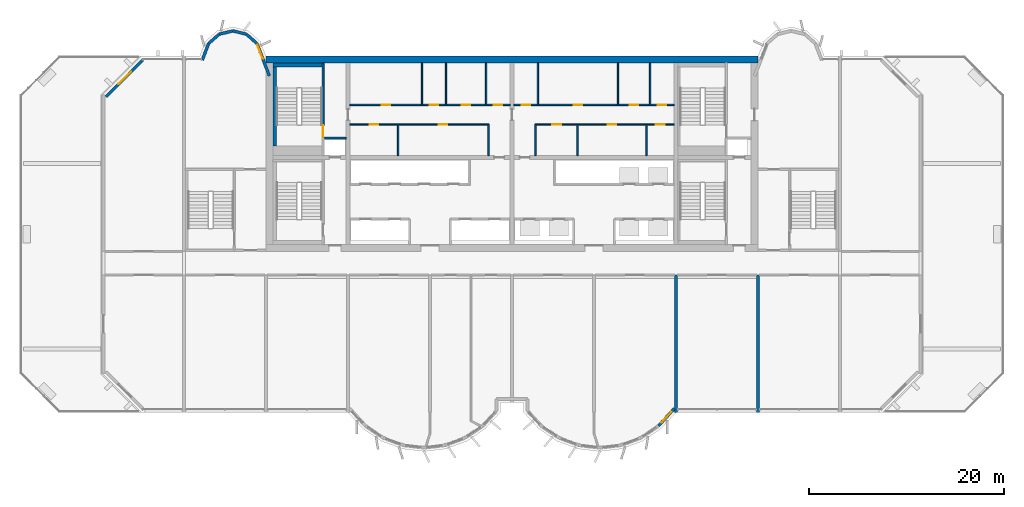
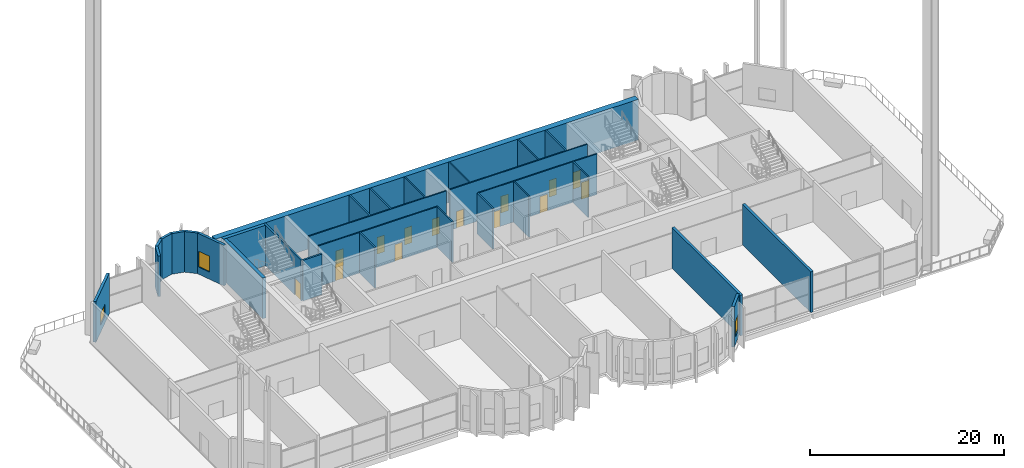
# One storey, part 13 of 19: 30 walls, 14 doors, 3 windows, 17 openings.
"""IFC4 building model written with IfcOpenShell, lengths in metres."""

import ifcopenshell
import ifcopenshell.guid

model = None  # the IFC model being written
_history = None  # IfcOwnerHistory: only IFC2X3 demands one
_inside = {}  # id of a spatial element -> (the spatial element, [elements in it])
_under = {}  # id of a project, library or spatial element -> (it, [spatial elements below it])
_declared = {}  # id of a project -> (the project, [libraries it declares])
_typed = {}  # id of a type object -> (the type object, [elements of that type])
_made_of = {}  # id of a material, layer set ... -> (it, [elements and type objects made of it])


def new_model(schema):
    """Start an empty IFC model of exactly this schema.

    Asked for "IFC4X3", IfcOpenShell would pick the latest addendum, in which some entities
    have other attributes; the version numbers below select the first issue.
    IFC2X3 requires an IfcOwnerHistory on every rooted entity: one is made here for all.
    """
    global model, _history
    if schema == "IFC4X3":
        model = ifcopenshell.file(schema_version=(4, 3, 0, 0))
    else:
        model = ifcopenshell.file(schema=schema)
    _inside.clear()
    _under.clear()
    _declared.clear()
    _typed.clear()
    _made_of.clear()
    _history = None
    if model.schema == "IFC2X3":
        org = make("IfcOrganization", Name="unknown")
        user = make(
            "IfcPersonAndOrganization",
            ThePerson=make("IfcPerson", FamilyName="unknown"),
            TheOrganization=org,
        )
        app = make(
            "IfcApplication",
            ApplicationDeveloper=org,
            Version="unknown",
            ApplicationFullName="unknown",
            ApplicationIdentifier="unknown",
        )
        _history = make(
            "IfcOwnerHistory",
            OwningUser=user,
            OwningApplication=app,
            ChangeAction="ADDED",
            CreationDate=0,
        )
    return model


def make(cls, **values):
    """One entity of the class cls with the attributes given. An attribute that is None is left unset."""
    return model.create_entity(
        cls, **{name: value for name, value in values.items() if value is not None}
    )


def rooted(cls, **values):
    """An entity with a GlobalId (a new one), such as an element, a storey or a relation."""
    return make(cls, GlobalId=ifcopenshell.guid.new(), OwnerHistory=_history, **values)


def si_unit(unit_type, name, prefix=None):
    """IfcSIUnit, for example si_unit("LENGTHUNIT", "METRE", prefix="MILLI")."""
    return make("IfcSIUnit", UnitType=unit_type, Prefix=prefix, Name=name)


def assignment(units):
    """IfcUnitAssignment: the units of a project."""
    return None if units is None else make("IfcUnitAssignment", Units=units)


def point(xyz):
    """IfcCartesianPoint."""
    return None if xyz is None else make("IfcCartesianPoint", Coordinates=xyz)


def direction(xyz):
    """IfcDirection."""
    return None if xyz is None else make("IfcDirection", DirectionRatios=xyz)


def frame(location, z_axis=None, x_axis=None):
    """IfcAxis2Placement3D, a coordinate frame: its origin and axes. An axis left out is left unset."""
    return make(
        "IfcAxis2Placement3D",
        Location=point(location),
        Axis=direction(z_axis),
        RefDirection=direction(x_axis),
    )


def frame_2d(location, x_axis=None):
    """IfcAxis2Placement2D, a coordinate frame in the plane: its origin and x axis."""
    return make(
        "IfcAxis2Placement2D", Location=point(location), RefDirection=direction(x_axis)
    )


def origin():
    """The frame at (0, 0, 0) with its axes left unset."""
    return frame((0.0, 0.0, 0.0))


def place(relative_to, where):
    """IfcLocalPlacement: puts the frame where relative to a parent placement (None: the world)."""
    return make(
        "IfcLocalPlacement", PlacementRelTo=relative_to, RelativePlacement=where
    )


def context(
    kind, dimensions, precision=None, world=None, true_north=None, identifier=None
):
    """IfcGeometricRepresentationContext, for example the 3D "Model" context."""
    return make(
        "IfcGeometricRepresentationContext",
        ContextIdentifier=identifier,
        ContextType=kind,
        CoordinateSpaceDimension=dimensions,
        Precision=precision,
        WorldCoordinateSystem=world,
        TrueNorth=true_north,
    )


def subcontext(parent, identifier, kind, view, scale=None):
    """IfcGeometricRepresentationSubContext, for example "Body" below "Model"."""
    return make(
        "IfcGeometricRepresentationSubContext",
        ContextIdentifier=identifier,
        ContextType=kind,
        ParentContext=parent,
        TargetScale=scale,
        TargetView=view,
    )


def project(units=None, contexts=None):
    """IfcProject with its units and contexts."""
    return rooted(
        "IfcProject",
        Name="project",
        RepresentationContexts=contexts,
        UnitsInContext=assignment(units),
    )


def spatial(cls, under=None, at=None, **own):
    """A site, building, storey or space (cls), placed at a placement, below another one or the project."""
    s = rooted(cls, ObjectPlacement=at, **own)
    if under is not None:
        _under.setdefault(under.id(), (under, []))[1].append(s)
    return s


def profile(cls, at=None, kind="AREA", **sizes):
    """A parametric profile (cls). Its sizes go by their IFC names, for example OverallWidth=200.0."""
    return make(cls, ProfileType=kind, Position=at, **sizes)


def rectangle(**sizes):
    """IfcRectangleProfileDef."""
    return profile("IfcRectangleProfileDef", **sizes)


def extrude(swept, where, along, depth):
    """IfcExtrudedAreaSolid: the profile swept, set in the frame where, extruded along a direction by depth."""
    return make(
        "IfcExtrudedAreaSolid",
        SweptArea=swept,
        Position=where,
        ExtrudedDirection=direction(along),
        Depth=depth,
    )


def shape(context_of_items, identifier, shape_type, items):
    """IfcShapeRepresentation: the items that make up one representation, for example the "Body"."""
    return make(
        "IfcShapeRepresentation",
        ContextOfItems=context_of_items,
        RepresentationIdentifier=identifier,
        RepresentationType=shape_type,
        Items=items,
    )


def source(mapping_origin, context_of_items, identifier, shape_type, items):
    """IfcRepresentationMap: a shape defined once, which mapped items show again and again."""
    return make(
        "IfcRepresentationMap",
        MappingOrigin=mapping_origin,
        MappedRepresentation=shape(context_of_items, identifier, shape_type, items),
    )


def transform(
    local_origin,
    x_axis=None,
    y_axis=None,
    z_axis=None,
    scale=None,
    scale2=None,
    scale3=None,
    uniform=True,
):
    """IfcCartesianTransformationOperator3D, or its non-uniform kind. x_axis, y_axis, z_axis: its Axis1, 2, 3."""
    if uniform:
        return make(
            "IfcCartesianTransformationOperator3D",
            Axis1=direction(x_axis),
            Axis2=direction(y_axis),
            LocalOrigin=point(local_origin),
            Scale=scale,
            Axis3=direction(z_axis),
        )
    return make(
        "IfcCartesianTransformationOperator3DnonUniform",
        Axis1=direction(x_axis),
        Axis2=direction(y_axis),
        LocalOrigin=point(local_origin),
        Scale=scale,
        Axis3=direction(z_axis),
        Scale2=scale2,
        Scale3=scale3,
    )


def mapped(mapping_source, mapping_target):
    """IfcMappedItem: shows the shape of a source again, moved by a transform."""
    return make(
        "IfcMappedItem", MappingSource=mapping_source, MappingTarget=mapping_target
    )


def material(Name=None, Category=None):
    """IfcMaterial."""
    return make("IfcMaterial", Name=Name, Category=Category)


def layer(
    of_material, thickness, ventilated=None, Name=None, Category=None, Priority=None
):
    """IfcMaterialLayer: one layer of a wall or slab, of a material (None: an air gap)."""
    return make(
        "IfcMaterialLayer",
        Material=of_material,
        LayerThickness=thickness,
        IsVentilated=ventilated,
        Name=Name,
        Category=Category,
        Priority=Priority,
    )


def layer_set(layers, Name=None):
    """IfcMaterialLayerSet."""
    return make("IfcMaterialLayerSet", MaterialLayers=layers, LayerSetName=Name)


def made_of(thing, what):
    """Note that an element or type object is made of a material, layer set ...; save() writes the relation."""
    if what is not None:
        _made_of.setdefault(what.id(), (what, []))[1].append(thing)
    return thing


def type_object(cls, material=None, **own):
    """A type object (cls), such as IfcWallType, which elements share."""
    return made_of(rooted(cls, **own), material)


def element(
    cls,
    number,
    at=None,
    inside=None,
    cuts=None,
    type_object=None,
    material=None,
    context=None,
    identifier="Body",
    shape_type=None,
    held_by="IfcProductDefinitionShape",
    body=None,
    shapes=None,
    **own,
):
    """One element of the class cls, such as IfcWall. Its Tag is "e" and its number.

    at: its placement. inside: the storey or other place that contains it. cuts: it is an
    opening in that element (IfcRelVoidsElement). A single representation is given by context,
    identifier, shape_type and body (its items); several are given by shapes. held_by: the class
    of the entity that holds the representations. save() writes the other relations.
    """
    e = rooted(cls, Tag="e%d" % number, ObjectPlacement=at, **own)
    if body is not None:
        shapes = [shape(context, identifier, shape_type, body)]
    if shapes is not None:
        e.Representation = make(held_by, Representations=shapes)
    if inside is not None:
        _inside.setdefault(inside.id(), (inside, []))[1].append(e)
    if cuts is not None:
        rooted(
            "IfcRelVoidsElement", RelatingBuildingElement=cuts, RelatedOpeningElement=e
        )
    if type_object is not None:
        _typed.setdefault(type_object.id(), (type_object, []))[1].append(e)
    return made_of(e, material)


def fill(opening, filler):
    """IfcRelFillsElement: the door or window that sits in an opening."""
    return rooted(
        "IfcRelFillsElement",
        RelatingOpeningElement=opening,
        RelatedBuildingElement=filler,
    )


def aggregate(whole, parts):
    """IfcRelAggregates: a whole, such as a stair, and the parts it consists of."""
    return rooted("IfcRelAggregates", RelatingObject=whole, RelatedObjects=parts)


def save(model, path):
    """Write the relations noted so far, then the file.

    IfcRelAggregates (storeys below a building ...), IfcRelContainedInSpatialStructure (elements
    in a storey), IfcRelDefinesByType, IfcRelAssociatesMaterial and IfcRelDeclares: one each for
    every whole, place, type object, material and project.
    """
    for whole, parts in _under.values():
        aggregate(whole, parts)
    for where, things in _inside.values():
        rooted(
            "IfcRelContainedInSpatialStructure",
            RelatedElements=things,
            RelatingStructure=where,
        )
    for kind, things in _typed.values():
        rooted("IfcRelDefinesByType", RelatedObjects=things, RelatingType=kind)
    for what, things in _made_of.values():
        rooted("IfcRelAssociatesMaterial", RelatedObjects=things, RelatingMaterial=what)
    for by, libraries in _declared.values():
        rooted("IfcRelDeclares", RelatingContext=by, RelatedDefinitions=libraries)
    model.write(path)


model = new_model("IFC4")

# Units and contexts
model_context = context("Model", 3, precision=1e-05, world=origin(), true_north=direction((0.0, 1.0)))
body_context = subcontext(model_context, "Body", "Model", "MODEL_VIEW")
ifc_project = project(units=[si_unit("LENGTHUNIT", "METRE"), si_unit("AREAUNIT", "SQUARE_METRE"), si_unit("VOLUMEUNIT", "CUBIC_METRE"), si_unit("PLANEANGLEUNIT", "RADIAN"), si_unit("MASSUNIT", "GRAM", prefix="KILO")], contexts=[model_context])

# Site, building, storey
site_placement = place(None, origin())
site = spatial("IfcSite", under=ifc_project, at=site_placement, CompositionType="ELEMENT")
building_placement = place(site_placement, origin())
building = spatial("IfcBuilding", under=site, at=building_placement, Name="Vanashikhar Sky Hotel", CompositionType="ELEMENT")
storey_placement = place(building_placement, frame((0.0, 0.0, 146.199951171875)))
storey = spatial("IfcBuildingStorey", under=building, at=storey_placement, Name="L35", CompositionType="ELEMENT", Elevation=146.199951171875)

# Walls
ifc_material_1 = material(Name="Concrete M60", Category="concrete")
ifc_layer_1 = layer(ifc_material_1, 0.699951171875)
ifc_layer_set_1 = layer_set([ifc_layer_1], Name="RC core shell wall 700 Concrete M60")
wall_type_1 = type_object("IfcWallType", Name="RC core shell wall 700 Concrete M60", PredefinedType="SHEAR", material=ifc_layer_set_1)
shared_shape_1 = source(origin(), body_context, "Body", "SweptSolid", [
    extrude(rectangle(XDim=50.400146484375, YDim=0.699951171875, at=frame_2d((25.2001953125, 0.0))), origin(), (0.0, 0.0, 1.0), 5.1201171875),
])
wall_1_placement = place(storey_placement, frame((25.199951171875, 41.64990234375, 0.0), z_axis=(0.0, 0.0, 1.0), x_axis=(1.0, 0.0, 0.0)))
element("IfcWall", 1, at=wall_1_placement, inside=storey, type_object=wall_type_1, Name="KW-L35-KN", PredefinedType="SHEAR", context=body_context, shape_type="MappedRepresentation", body=[
    mapped(shared_shape_1, transform((0.0, 0.0, 0.0), scale=1.0)),
])
ifc_layer_2 = layer(ifc_material_1, 0.300048828125)
ifc_layer_set_2 = layer_set([ifc_layer_2], Name="RC shear wall 300 Concrete M60")
wall_type_2 = type_object("IfcWallType", Name="RC shear wall 300 Concrete M60", PredefinedType="SHEAR", material=ifc_layer_set_2)
shared_shape_2 = source(origin(), body_context, "Body", "SweptSolid", [
    extrude(rectangle(XDim=14.10009765625, YDim=0.300048828125, at=frame_2d((7.050048828125, 0.0))), origin(), (0.0, 0.0, 1.0), 5.1201171875),
])
for number, where, z_axis, x_axis, name in (
    (2, (67.199951171875, 5.5, 0.0), (0.0, 0.0, 1.0), (0.0, 1.0, 0.0), "CW-L35-XW09-1"),
    (3, (75.60009765625, 5.5, 0.0), (0.0, 0.0, 1.0), (0.0, 1.0, 0.0), "CW-L35-XW10-1"),
):
    element("IfcWall", number, at=place(storey_placement, frame(where, z_axis=z_axis, x_axis=x_axis)), inside=storey, type_object=wall_type_2, Name=name, PredefinedType="SHEAR", context=body_context, shape_type="MappedRepresentation", body=[
        mapped(shared_shape_2, transform((0.0, 0.0, 0.0), scale=1.0)),
    ])
ifc_material_2 = material(Name="Concrete M50", Category="concrete")
ifc_layer_3 = layer(ifc_material_2, 0.300048828125)
ifc_layer_set_3 = layer_set([ifc_layer_3], Name="Lobe wall 300")
wall_type_3 = type_object("IfcWallType", Name="Lobe wall 300", PredefinedType="SOLIDWALL", material=ifc_layer_set_3)
shared_shape_3 = source(origin(), body_context, "Body", "SweptSolid", [
    extrude(rectangle(XDim=1.81201171875, YDim=0.300048828125, at=frame_2d((0.906005859375, 0.0))), origin(), (0.0, 0.0, 1.0), 5.1201171875),
])
wall_2_placement = place(storey_placement, frame((19.323486328125, 43.2919921875, 0.0), z_axis=(0.0, 0.0, 1.0), x_axis=(-0.357877270961, -0.93376863244, 0.0)))
element("IfcWall", 4, at=wall_2_placement, inside=storey, type_object=wall_type_3, Name="Lobe wall", PredefinedType="SOLIDWALL", context=body_context, shape_type="MappedRepresentation", body=[
    mapped(shared_shape_3, transform((0.0, 0.0, 0.0), scale=1.0)),
])
shared_shape_4 = source(origin(), body_context, "Body", "SweptSolid", [
    extrude(rectangle(XDim=1.43994140625, YDim=0.300048828125, at=frame_2d((0.719970703125, 0.0))), origin(), (0.0, 0.0, 1.0), 5.1201171875),
])
wall_3_placement = place(storey_placement, frame((20.40283203125, 44.2451171875, 0.0), z_axis=(0.0, 0.0, 1.0), x_axis=(-0.74957555648, -0.661918790432, 0.0)))
element("IfcWall", 5, at=wall_3_placement, inside=storey, type_object=wall_type_3, Name="Lobe wall", PredefinedType="SOLIDWALL", context=body_context, shape_type="MappedRepresentation", body=[
    mapped(shared_shape_4, transform((0.0, 0.0, 0.0), scale=1.0)),
])
shared_shape_5 = source(origin(), body_context, "Body", "SweptSolid", [
    extrude(rectangle(XDim=1.438720703125, YDim=0.300048828125, at=frame_2d((0.71923828125, 0.0))), origin(), (0.0, 0.0, 1.0), 5.1201171875),
])
wall_4_placement = place(storey_placement, frame((21.800048828125, 44.588134765625, 0.0), z_axis=(0.0, 0.0, 1.0), x_axis=(-0.971161932466, -0.238420848351, 0.0)))
element("IfcWall", 6, at=wall_4_placement, inside=storey, type_object=wall_type_3, Name="Lobe wall", PredefinedType="SOLIDWALL", context=body_context, shape_type="MappedRepresentation", body=[
    mapped(shared_shape_5, transform((0.0, 0.0, 0.0), scale=1.0)),
])
shared_shape_6 = source(origin(), body_context, "Body", "SweptSolid", [
    extrude(rectangle(XDim=1.440185546875, YDim=0.300048828125, at=frame_2d((0.72021484375, 0.0))), origin(), (0.0, 0.0, 1.0), 5.1201171875),
])
wall_5_placement = place(storey_placement, frame((24.276611328125, 43.2919921875, 0.0), z_axis=(0.0, 0.0, 1.0), x_axis=(-0.749649827867, 0.661834673902, 0.0)))
element("IfcWall", 7, at=wall_5_placement, inside=storey, type_object=wall_type_3, Name="Lobe wall", PredefinedType="SOLIDWALL", context=body_context, shape_type="MappedRepresentation", body=[
    mapped(shared_shape_6, transform((0.0, 0.0, 0.0), scale=1.0)),
])
shared_shape_7 = source(origin(), body_context, "Body", "SweptSolid", [
    extrude(rectangle(XDim=1.4384765625, YDim=0.300048828125, at=frame_2d((0.71923828125, 0.0))), origin(), (0.0, 0.0, 1.0), 5.1201171875),
])
wall_6_placement = place(storey_placement, frame((23.197021484375, 44.2451171875, 0.0), z_axis=(0.0, 0.0, 1.0), x_axis=(-0.971152283879, 0.238460146601, 0.0)))
element("IfcWall", 8, at=wall_6_placement, inside=storey, type_object=wall_type_3, Name="Lobe wall", PredefinedType="SOLIDWALL", context=body_context, shape_type="MappedRepresentation", body=[
    mapped(shared_shape_7, transform((0.0, 0.0, 0.0), scale=1.0)),
])

# Wall, opening, window
shared_shape_8 = source(origin(), body_context, "Body", "SweptSolid", [
    extrude(rectangle(XDim=2.398193359375, YDim=0.300048828125, at=frame_2d((1.19921875, 0.0))), origin(), (0.0, 0.0, 1.0), 5.1201171875),
])
wall_7_placement = place(storey_placement, frame((65.404296875, 4.13134765625, 0.0), z_axis=(0.0, 0.0, 1.0), x_axis=(0.675374189419, 0.737475222815, 0.0)))
wall_7 = element("IfcWall", 9, at=wall_7_placement, inside=storey, type_object=wall_type_3, Name="Lobe wall", PredefinedType="SOLIDWALL", context=body_context, shape_type="MappedRepresentation", body=[
    mapped(shared_shape_8, transform((0.0, 0.0, 0.0), scale=1.0)),
])
shared_shape_9 = source(origin(), body_context, "Body", "SweptSolid", [
    extrude(rectangle(XDim=1.5, YDim=2.0, at=frame_2d((0.75, 1.0))), frame((0.0, 0.16015625, 0.0), z_axis=(0.0, -1.0, 0.0), x_axis=(1.0, 0.0, 0.0)), (0.0, 0.0, 1.0), 0.320068359375),
])
opening_1_placement = place(wall_7_placement, frame((0.44921875, 0.0, 0.89990234375)))
opening_1 = element("IfcOpeningElement", 10, at=opening_1_placement, cuts=wall_7, Name="Opening WN-2", PredefinedType="OPENING", context=body_context, shape_type="MappedRepresentation", body=[
    mapped(shared_shape_9, transform((0.0, 0.0, 0.0), scale=1.0)),
])
ifc_material_3 = material(Name="Glass", Category="glass")
window_type_1 = type_object("IfcWindowType", Name="Lobe window 1500 x 2000", PartitioningType="SINGLE_PANEL", PredefinedType="WINDOW", material=ifc_material_3)
shared_shape_10 = source(origin(), body_context, "Body", "SweptSolid", [
    extrude(rectangle(XDim=1.5, YDim=2.0, at=frame_2d((0.75, 1.0))), frame((0.0, 0.030029296875, 0.0), z_axis=(0.0, -1.0, 0.0), x_axis=(1.0, 0.0, 0.0)), (0.0, 0.0, 1.0), 0.06005859375),
])
window_1_placement = place(opening_1_placement, origin())
window_1 = element("IfcWindow", 11, at=window_1_placement, inside=storey, type_object=window_type_1, Name="Window WN-2", OverallHeight=2.0, OverallWidth=1.5, PartitioningType="SINGLE_PANEL", PredefinedType="WINDOW", context=body_context, shape_type="MappedRepresentation", body=[
    mapped(shared_shape_10, transform((0.0, 0.0, 0.0), scale=1.0)),
])
fill(opening_1, window_1)

shared_shape_11 = source(origin(), body_context, "Body", "SweptSolid", [
    extrude(rectangle(XDim=5.32568359375, YDim=0.300048828125, at=frame_2d((2.662841796875, 0.0))), origin(), (0.0, 0.0, 1.0), 5.1201171875),
])
wall_8_placement = place(storey_placement, frame((12.565673828125, 41.60009765625, 0.0), z_axis=(0.0, 0.0, 1.0), x_axis=(-0.707083859269, -0.707129702361, 0.0)))
wall_8 = element("IfcWall", 12, at=wall_8_placement, inside=storey, type_object=wall_type_3, Name="Corner wall", PredefinedType="SOLIDWALL", context=body_context, shape_type="MappedRepresentation", body=[
    mapped(shared_shape_11, transform((0.0, 0.0, 0.0), scale=1.0)),
])
shared_shape_12 = source(origin(), body_context, "Body", "SweptSolid", [
    extrude(rectangle(XDim=1.800048828125, YDim=1.5, at=frame_2d((0.89990234375, 0.75))), frame((0.0, 0.16015625, 0.0), z_axis=(0.0, -1.0, 0.0), x_axis=(1.0, 0.0, 0.0)), (0.0, 0.0, 1.0), 0.320068359375),
])
opening_2_placement = place(wall_8_placement, frame((1.689453125, 0.0, 0.89990234375)))
opening_2 = element("IfcOpeningElement", 13, at=opening_2_placement, cuts=wall_8, Name="Opening WN-4", PredefinedType="OPENING", context=body_context, shape_type="MappedRepresentation", body=[
    mapped(shared_shape_12, transform((0.0, 0.0, 0.0), scale=1.0)),
])
window_type_2 = type_object("IfcWindowType", Name="Corner window 1800 x 1500", PartitioningType="SINGLE_PANEL", PredefinedType="WINDOW", material=ifc_material_3)
shared_shape_13 = source(origin(), body_context, "Body", "SweptSolid", [
    extrude(rectangle(XDim=1.800048828125, YDim=1.5, at=frame_2d((0.89990234375, 0.75))), frame((0.0, 0.030029296875, 0.0), z_axis=(0.0, -1.0, 0.0), x_axis=(1.0, 0.0, 0.0)), (0.0, 0.0, 1.0), 0.06005859375),
])
window_2_placement = place(opening_2_placement, origin())
window_2 = element("IfcWindow", 14, at=window_2_placement, inside=storey, type_object=window_type_2, Name="Window WN-4", OverallHeight=1.5, OverallWidth=1.800048828125, PartitioningType="SINGLE_PANEL", PredefinedType="WINDOW", context=body_context, shape_type="MappedRepresentation", body=[
    mapped(shared_shape_13, transform((0.0, 0.0, 0.0), scale=1.0)),
])
fill(opening_2, window_2)

shared_shape_14 = source(origin(), body_context, "Body", "SweptSolid", [
    extrude(rectangle(XDim=3.55908203125, YDim=0.300048828125, at=frame_2d((1.779541015625, 0.0))), origin(), (0.0, 0.0, 1.0), 5.1201171875),
])
wall_9_placement = place(storey_placement, frame((25.550048828125, 39.968505859375, 0.0), z_axis=(0.0, 0.0, 1.0), x_axis=(-0.35779745313, 0.933799219604, 0.0)))
wall_9 = element("IfcWall", 15, at=wall_9_placement, inside=storey, type_object=wall_type_3, Name="Lobe wall", PredefinedType="SOLIDWALL", context=body_context, shape_type="MappedRepresentation", body=[
    mapped(shared_shape_14, transform((0.0, 0.0, 0.0), scale=1.0)),
])
opening_3_placement = place(wall_9_placement, frame((1.9033203125, 0.0, 0.89990234375)))
opening_3 = element("IfcOpeningElement", 16, at=opening_3_placement, cuts=wall_9, Name="Opening WN-2", PredefinedType="OPENING", context=body_context, shape_type="MappedRepresentation", body=[
    mapped(shared_shape_9, transform((0.0, 0.0, 0.0), scale=1.0)),
])
window_3_placement = place(opening_3_placement, origin())
window_3 = element("IfcWindow", 17, at=window_3_placement, inside=storey, type_object=window_type_1, Name="Window WN-2", OverallHeight=2.0, OverallWidth=1.5, PartitioningType="SINGLE_PANEL", PredefinedType="WINDOW", context=body_context, shape_type="MappedRepresentation", body=[
    mapped(shared_shape_10, transform((0.0, 0.0, 0.0), scale=1.0)),
])
fill(opening_3, window_3)

# Walls
ifc_material_4 = material(Name="Gypsum board partition")
ifc_layer_4 = layer(ifc_material_4, 0.14990234375)
ifc_layer_set_4 = layer_set([ifc_layer_4], Name="Service partition 150")
wall_type_4 = type_object("IfcWallType", Name="Service partition 150", PredefinedType="PARTITIONING", material=ifc_layer_set_4)
shared_shape_15 = source(origin(), body_context, "Body", "SweptSolid", [
    extrude(rectangle(XDim=3.199951171875, YDim=0.14990234375, at=frame_2d((1.60009765625, 0.0))), origin(), (0.0, 0.0, 1.0), 5.1201171875),
])
for number, where, z_axis, x_axis, name in (
    (18, (48.0, 31.800048828125, 0.0), (0.0, 0.0, 1.0), (0.0, 1.0, 0.0), "Service partition 150"),
    (19, (38.743896484375, 31.800048828125, 0.0), (0.0, 0.0, 1.0), (0.0, 1.0, 0.0), "Service partition 150"),
    (20, (52.800048828125, 31.800048828125, 0.0), (0.0, 0.0, 1.0), (0.0, 1.0, 0.0), "Service partition 150"),
    (21, (64.175048828125, 31.800048828125, 0.0), (0.0, 0.0, 1.0), (0.0, 1.0, 0.0), "Service partition 150"),
    (22, (57.112060546875, 31.800048828125, 0.0), (0.0, 0.0, 1.0), (0.0, 1.0, 0.0), "Service partition 150"),
):
    element("IfcWall", number, at=place(storey_placement, frame(where, z_axis=z_axis, x_axis=x_axis)), inside=storey, type_object=wall_type_4, Name=name, PredefinedType="PARTITIONING", context=body_context, shape_type="MappedRepresentation", body=[
        mapped(shared_shape_15, transform((0.0, 0.0, 0.0), scale=1.0)),
    ])

# Wall, openings, doors
shared_shape_16 = source(origin(), body_context, "Body", "SweptSolid", [
    extrude(rectangle(XDim=14.199951171875, YDim=0.14990234375, at=frame_2d((7.10009765625, 0.0))), origin(), (0.0, 0.0, 1.0), 5.1201171875),
])
wall_10_placement = place(storey_placement, frame((33.800048828125, 35.0, 0.0), z_axis=(0.0, 0.0, 1.0), x_axis=(1.0, 0.0, 0.0)))
wall_10 = element("IfcWall", 23, at=wall_10_placement, inside=storey, type_object=wall_type_4, Name="Service partition 150", PredefinedType="PARTITIONING", context=body_context, shape_type="MappedRepresentation", body=[
    mapped(shared_shape_16, transform((0.0, 0.0, 0.0), scale=1.0)),
])
shared_shape_17 = source(origin(), body_context, "Body", "SweptSolid", [
    extrude(rectangle(XDim=0.89990234375, YDim=2.10009765625, at=frame_2d((0.449951171875, 1.050048828125))), frame((0.0, 0.0849609375, 0.0), z_axis=(0.0, -1.0, 0.0), x_axis=(1.0, 0.0, 0.0)), (0.0, 0.0, 1.0), 0.169921875),
])
opening_4_placement = place(wall_10_placement, frame((2.02197265625, 0.0, 0.0)))
opening_4 = element("IfcOpeningElement", 24, at=opening_4_placement, cuts=wall_10, Name="Opening DC-4-A", PredefinedType="OPENING", context=body_context, shape_type="MappedRepresentation", body=[
    mapped(shared_shape_17, transform((0.0, 0.0, 0.0), scale=1.0)),
])
opening_5_placement = place(wall_10_placement, frame((9.083984375, 0.0, 0.0)))
opening_5 = element("IfcOpeningElement", 25, at=opening_5_placement, cuts=wall_10, Name="Opening DC-4-A", PredefinedType="OPENING", context=body_context, shape_type="MappedRepresentation", body=[
    mapped(shared_shape_17, transform((0.0, 0.0, 0.0), scale=1.0)),
])
ifc_material_5 = material(Name="Steel", Category="steel")
door_type_1 = type_object("IfcDoorType", Name="Service door 900 FD60", OperationType="NOTDEFINED", PredefinedType="DOOR", material=ifc_material_5)
shared_shape_18 = source(origin(), body_context, "Body", "SweptSolid", [
    extrude(rectangle(XDim=0.89990234375, YDim=2.10009765625, at=frame_2d((0.449951171875, 1.050048828125))), frame((0.0, 0.02490234375, 0.0), z_axis=(0.0, -1.0, 0.0), x_axis=(1.0, 0.0, 0.0)), (0.0, 0.0, 1.0), 0.050048828125),
])
door_1_placement = place(opening_4_placement, origin())
door_1 = element("IfcDoor", 26, at=door_1_placement, inside=storey, type_object=door_type_1, Name="Service door 900 FD60", OperationType="SINGLE_SWING_RIGHT", OverallHeight=2.10009765625, OverallWidth=0.89990234375, PredefinedType="DOOR", context=body_context, shape_type="MappedRepresentation", body=[
    mapped(shared_shape_18, transform((0.0, 0.0, 0.0), scale=1.0)),
])
fill(opening_4, door_1)
door_2_placement = place(opening_5_placement, origin())
door_2 = element("IfcDoor", 27, at=door_2_placement, inside=storey, type_object=door_type_1, Name="Service door 900 FD60", OperationType="SINGLE_SWING_LEFT", OverallHeight=2.10009765625, OverallWidth=0.89990234375, PredefinedType="DOOR", context=body_context, shape_type="MappedRepresentation", body=[
    mapped(shared_shape_18, transform((0.0, 0.0, 0.0), scale=1.0)),
])
fill(opening_5, door_2)

wall_11_placement = place(storey_placement, frame((67.0, 35.0, 0.0), z_axis=(0.0, 0.0, 1.0), x_axis=(-1.0, 0.0, 0.0)))
wall_11 = element("IfcWall", 28, at=wall_11_placement, inside=storey, type_object=wall_type_4, Name="Service partition 150", PredefinedType="PARTITIONING", context=body_context, shape_type="MappedRepresentation", body=[
    mapped(shared_shape_16, transform((0.0, 0.0, 0.0), scale=1.0)),
])
opening_6_placement = place(wall_11_placement, frame((0.9619140625, 0.0, 0.0)))
opening_6 = element("IfcOpeningElement", 29, at=opening_6_placement, cuts=wall_11, Name="Opening DC-4-A", PredefinedType="OPENING", context=body_context, shape_type="MappedRepresentation", body=[
    mapped(shared_shape_17, transform((0.0, 0.0, 0.0), scale=1.0)),
])
opening_7_placement = place(wall_11_placement, frame((5.906005859375, 0.0, 0.0)))
opening_7 = element("IfcOpeningElement", 30, at=opening_7_placement, cuts=wall_11, Name="Opening DC-4-A", PredefinedType="OPENING", context=body_context, shape_type="MappedRepresentation", body=[
    mapped(shared_shape_17, transform((0.0, 0.0, 0.0), scale=1.0)),
])
opening_8_placement = place(wall_11_placement, frame((11.555908203125, 0.0, 0.0)))
opening_8 = element("IfcOpeningElement", 31, at=opening_8_placement, cuts=wall_11, Name="Opening DC-4-A", PredefinedType="OPENING", context=body_context, shape_type="MappedRepresentation", body=[
    mapped(shared_shape_17, transform((0.0, 0.0, 0.0), scale=1.0)),
])
door_3_placement = place(opening_6_placement, origin())
door_3 = element("IfcDoor", 32, at=door_3_placement, inside=storey, type_object=door_type_1, Name="Service door 900 FD60", OperationType="SINGLE_SWING_LEFT", OverallHeight=2.10009765625, OverallWidth=0.89990234375, PredefinedType="DOOR", context=body_context, shape_type="MappedRepresentation", body=[
    mapped(shared_shape_18, transform((0.0, 0.0, 0.0), scale=1.0)),
])
fill(opening_6, door_3)
door_4_placement = place(opening_7_placement, origin())
door_4 = element("IfcDoor", 33, at=door_4_placement, inside=storey, type_object=door_type_1, Name="Service door 900 FD60", OperationType="SINGLE_SWING_RIGHT", OverallHeight=2.10009765625, OverallWidth=0.89990234375, PredefinedType="DOOR", context=body_context, shape_type="MappedRepresentation", body=[
    mapped(shared_shape_18, transform((0.0, 0.0, 0.0), scale=1.0)),
])
fill(opening_7, door_4)
door_5_placement = place(opening_8_placement, origin())
door_5 = element("IfcDoor", 34, at=door_5_placement, inside=storey, type_object=door_type_1, Name="Service door 900 FD60", OperationType="SINGLE_SWING_LEFT", OverallHeight=2.10009765625, OverallWidth=0.89990234375, PredefinedType="DOOR", context=body_context, shape_type="MappedRepresentation", body=[
    mapped(shared_shape_18, transform((0.0, 0.0, 0.0), scale=1.0)),
])
fill(opening_8, door_5)

shared_shape_19 = source(origin(), body_context, "Body", "SweptSolid", [
    extrude(rectangle(XDim=16.39990234375, YDim=0.14990234375, at=frame_2d((8.199951171875, 0.0))), origin(), (0.0, 0.0, 1.0), 5.1201171875),
])
wall_12_placement = place(storey_placement, frame((33.800048828125, 37.0, 0.0), z_axis=(0.0, 0.0, 1.0), x_axis=(1.0, 0.0, 0.0)))
wall_12 = element("IfcWall", 35, at=wall_12_placement, inside=storey, type_object=wall_type_4, Name="Service partition 150", PredefinedType="PARTITIONING", context=body_context, shape_type="MappedRepresentation", body=[
    mapped(shared_shape_19, transform((0.0, 0.0, 0.0), scale=1.0)),
])
opening_9_placement = place(wall_12_placement, frame((3.239990234375, 0.0, 0.0)))
opening_9 = element("IfcOpeningElement", 36, at=opening_9_placement, cuts=wall_12, Name="Opening DC-4-A", PredefinedType="OPENING", context=body_context, shape_type="MappedRepresentation", body=[
    mapped(shared_shape_17, transform((0.0, 0.0, 0.0), scale=1.0)),
])
opening_10_placement = place(wall_12_placement, frame((8.159912109375, 0.0, 0.0)))
opening_10 = element("IfcOpeningElement", 37, at=opening_10_placement, cuts=wall_12, Name="Opening DC-4-A", PredefinedType="OPENING", context=body_context, shape_type="MappedRepresentation", body=[
    mapped(shared_shape_17, transform((0.0, 0.0, 0.0), scale=1.0)),
])
opening_11_placement = place(wall_12_placement, frame((11.43994140625, 0.0, 0.0)))
opening_11 = element("IfcOpeningElement", 38, at=opening_11_placement, cuts=wall_12, Name="Opening DC-4-A", PredefinedType="OPENING", context=body_context, shape_type="MappedRepresentation", body=[
    mapped(shared_shape_17, transform((0.0, 0.0, 0.0), scale=1.0)),
])
opening_12_placement = place(wall_12_placement, frame((14.719970703125, 0.0, 0.0)))
opening_12 = element("IfcOpeningElement", 39, at=opening_12_placement, cuts=wall_12, Name="Opening DC-4-A", PredefinedType="OPENING", context=body_context, shape_type="MappedRepresentation", body=[
    mapped(shared_shape_17, transform((0.0, 0.0, 0.0), scale=1.0)),
])
door_6_placement = place(opening_9_placement, origin())
door_6 = element("IfcDoor", 40, at=door_6_placement, inside=storey, type_object=door_type_1, Name="Service door 900 FD60", OperationType="SINGLE_SWING_RIGHT", OverallHeight=2.10009765625, OverallWidth=0.89990234375, PredefinedType="DOOR", context=body_context, shape_type="MappedRepresentation", body=[
    mapped(shared_shape_18, transform((0.0, 0.0, 0.0), scale=1.0)),
])
fill(opening_9, door_6)
door_7_placement = place(opening_10_placement, origin())
door_7 = element("IfcDoor", 41, at=door_7_placement, inside=storey, type_object=door_type_1, Name="Service door 900 FD60", OperationType="SINGLE_SWING_RIGHT", OverallHeight=2.10009765625, OverallWidth=0.89990234375, PredefinedType="DOOR", context=body_context, shape_type="MappedRepresentation", body=[
    mapped(shared_shape_18, transform((0.0, 0.0, 0.0), scale=1.0)),
])
fill(opening_10, door_7)
door_8_placement = place(opening_11_placement, origin())
door_8 = element("IfcDoor", 42, at=door_8_placement, inside=storey, type_object=door_type_1, Name="Service door 900 FD60", OperationType="SINGLE_SWING_RIGHT", OverallHeight=2.10009765625, OverallWidth=0.89990234375, PredefinedType="DOOR", context=body_context, shape_type="MappedRepresentation", body=[
    mapped(shared_shape_18, transform((0.0, 0.0, 0.0), scale=1.0)),
])
fill(opening_11, door_8)
door_9_placement = place(opening_12_placement, origin())
door_9 = element("IfcDoor", 43, at=door_9_placement, inside=storey, type_object=door_type_1, Name="Service door 900 FD60", OperationType="SINGLE_SWING_RIGHT", OverallHeight=2.10009765625, OverallWidth=0.89990234375, PredefinedType="DOOR", context=body_context, shape_type="MappedRepresentation", body=[
    mapped(shared_shape_18, transform((0.0, 0.0, 0.0), scale=1.0)),
])
fill(opening_12, door_9)

wall_13_placement = place(storey_placement, frame((67.0, 37.0, 0.0), z_axis=(0.0, 0.0, 1.0), x_axis=(-1.0, 0.0, 0.0)))
wall_13 = element("IfcWall", 44, at=wall_13_placement, inside=storey, type_object=wall_type_4, Name="Service partition 150", PredefinedType="PARTITIONING", context=body_context, shape_type="MappedRepresentation", body=[
    mapped(shared_shape_19, transform((0.0, 0.0, 0.0), scale=1.0)),
])
opening_13_placement = place(wall_13_placement, frame((0.780029296875, 0.0, 0.0)))
opening_13 = element("IfcOpeningElement", 45, at=opening_13_placement, cuts=wall_13, Name="Opening DC-4-A", PredefinedType="OPENING", context=body_context, shape_type="MappedRepresentation", body=[
    mapped(shared_shape_17, transform((0.0, 0.0, 0.0), scale=1.0)),
])
opening_14_placement = place(wall_13_placement, frame((3.64990234375, 0.0, 0.0)))
opening_14 = element("IfcOpeningElement", 46, at=opening_14_placement, cuts=wall_13, Name="Opening DC-4-A", PredefinedType="OPENING", context=body_context, shape_type="MappedRepresentation", body=[
    mapped(shared_shape_17, transform((0.0, 0.0, 0.0), scale=1.0)),
])
opening_15_placement = place(wall_13_placement, frame((9.389892578125, 0.0, 0.0)))
opening_15 = element("IfcOpeningElement", 47, at=opening_15_placement, cuts=wall_13, Name="Opening DC-4-A", PredefinedType="OPENING", context=body_context, shape_type="MappedRepresentation", body=[
    mapped(shared_shape_17, transform((0.0, 0.0, 0.0), scale=1.0)),
])
opening_16_placement = place(wall_13_placement, frame((14.719970703125, 0.0, 0.0)))
opening_16 = element("IfcOpeningElement", 48, at=opening_16_placement, cuts=wall_13, Name="Opening DC-4-A", PredefinedType="OPENING", context=body_context, shape_type="MappedRepresentation", body=[
    mapped(shared_shape_17, transform((0.0, 0.0, 0.0), scale=1.0)),
])
door_10_placement = place(opening_13_placement, origin())
door_10 = element("IfcDoor", 49, at=door_10_placement, inside=storey, type_object=door_type_1, Name="Service door 900 FD60", OperationType="SINGLE_SWING_RIGHT", OverallHeight=2.10009765625, OverallWidth=0.89990234375, PredefinedType="DOOR", context=body_context, shape_type="MappedRepresentation", body=[
    mapped(shared_shape_18, transform((0.0, 0.0, 0.0), scale=1.0)),
])
fill(opening_13, door_10)
door_11_placement = place(opening_14_placement, origin())
door_11 = element("IfcDoor", 50, at=door_11_placement, inside=storey, type_object=door_type_1, Name="Service door 900 FD60", OperationType="SINGLE_SWING_RIGHT", OverallHeight=2.10009765625, OverallWidth=0.89990234375, PredefinedType="DOOR", context=body_context, shape_type="MappedRepresentation", body=[
    mapped(shared_shape_18, transform((0.0, 0.0, 0.0), scale=1.0)),
])
fill(opening_14, door_11)
door_12_placement = place(opening_15_placement, origin())
door_12 = element("IfcDoor", 51, at=door_12_placement, inside=storey, type_object=door_type_1, Name="Service door 900 FD60", OperationType="SINGLE_SWING_RIGHT", OverallHeight=2.10009765625, OverallWidth=0.89990234375, PredefinedType="DOOR", context=body_context, shape_type="MappedRepresentation", body=[
    mapped(shared_shape_18, transform((0.0, 0.0, 0.0), scale=1.0)),
])
fill(opening_15, door_12)
door_13_placement = place(opening_16_placement, origin())
door_13 = element("IfcDoor", 52, at=door_13_placement, inside=storey, type_object=door_type_1, Name="Service door 900 FD60", OperationType="SINGLE_SWING_LEFT", OverallHeight=2.10009765625, OverallWidth=0.89990234375, PredefinedType="DOOR", context=body_context, shape_type="MappedRepresentation", body=[
    mapped(shared_shape_18, transform((0.0, 0.0, 0.0), scale=1.0)),
])
fill(opening_16, door_13)

# Walls
shared_shape_20 = source(origin(), body_context, "Body", "SweptSolid", [
    extrude(rectangle(XDim=4.300048828125, YDim=0.14990234375, at=frame_2d((2.14990234375, 0.0))), origin(), (0.0, 0.0, 1.0), 5.1201171875),
])
for number, where, z_axis, x_axis, name in (
    (53, (41.179931640625, 37.0, 0.0), (0.0, 0.0, 1.0), (0.0, 1.0, 0.0), "Service partition 150"),
    (54, (43.639892578125, 37.0, 0.0), (0.0, 0.0, 1.0), (0.0, 1.0, 0.0), "Service partition 150"),
    (55, (47.739990234375, 37.0, 0.0), (0.0, 0.0, 1.0), (0.0, 1.0, 0.0), "Service partition 150"),
    (56, (64.5400390625, 37.0, 0.0), (0.0, 0.0, 1.0), (0.0, 1.0, 0.0), "Service partition 150"),
    (57, (61.260009765625, 37.0, 0.0), (0.0, 0.0, 1.0), (0.0, 1.0, 0.0), "Service partition 150"),
    (58, (53.06005859375, 37.0, 0.0), (0.0, 0.0, 1.0), (0.0, 1.0, 0.0), "Service partition 150"),
):
    element("IfcWall", number, at=place(storey_placement, frame(where, z_axis=z_axis, x_axis=x_axis)), inside=storey, type_object=wall_type_4, Name=name, PredefinedType="PARTITIONING", context=body_context, shape_type="MappedRepresentation", body=[
        mapped(shared_shape_20, transform((0.0, 0.0, 0.0), scale=1.0)),
    ])
ifc_material_6 = material(Name="Concrete M40", Category="concrete")
ifc_layer_5 = layer(ifc_material_6, 0.199951171875)
ifc_layer_set_5 = layer_set([ifc_layer_5], Name="Shaft wall 200")
wall_type_5 = type_object("IfcWallType", Name="Shaft wall 200", PredefinedType="SOLIDWALL", material=ifc_layer_set_5)
shared_shape_21 = source(origin(), body_context, "Body", "SweptSolid", [
    extrude(rectangle(XDim=2.25, YDim=0.199951171875, at=frame_2d((1.125, 0.0))), origin(), (0.0, 0.0, 1.0), 5.1201171875),
])
wall_14_placement = place(storey_placement, frame((31.14990234375, 33.60009765625, 0.0), z_axis=(0.0, 0.0, 1.0), x_axis=(1.0, 0.0, 0.0)))
element("IfcWall", 59, at=wall_14_placement, inside=storey, type_object=wall_type_5, Name="Shaft wall 200", PredefinedType="SOLIDWALL", context=body_context, shape_type="MappedRepresentation", body=[
    mapped(shared_shape_21, transform((0.0, 0.0, 0.0), scale=1.0)),
])

# Wall, opening, door
ifc_layer_6 = layer(ifc_material_2, 0.199951171875)
ifc_layer_set_6 = layer_set([ifc_layer_6], Name="Stair wall 200")
wall_type_6 = type_object("IfcWallType", Name="Stair wall 200", PredefinedType="SOLIDWALL", material=ifc_layer_set_6)
shared_shape_22 = source(origin(), body_context, "Body", "SweptSolid", [
    extrude(rectangle(XDim=7.699951171875, YDim=0.199951171875, at=frame_2d((3.85009765625, 0.0))), origin(), (0.0, 0.0, 1.0), 5.1201171875),
])
wall_15_placement = place(storey_placement, frame((31.050048828125, 33.60009765625, 0.0), z_axis=(0.0, 0.0, 1.0), x_axis=(0.0, 1.0, 0.0)))
wall_15 = element("IfcWall", 60, at=wall_15_placement, inside=storey, type_object=wall_type_6, Name="Stair wall 200", PredefinedType="SOLIDWALL", context=body_context, shape_type="MappedRepresentation", body=[
    mapped(shared_shape_22, transform((0.0, 0.0, 0.0), scale=1.0)),
])
shared_shape_23 = source(origin(), body_context, "Body", "SweptSolid", [
    extrude(rectangle(XDim=1.199951171875, YDim=2.10009765625, at=frame_2d((0.60009765625, 1.050048828125))), frame((0.0, 0.10986328125, 0.0), z_axis=(0.0, -1.0, 0.0), x_axis=(1.0, 0.0, 0.0)), (0.0, 0.0, 1.0), 0.219970703125),
])
opening_17_placement = place(wall_15_placement, frame((0.10009765625, 0.0, 0.0)))
opening_17 = element("IfcOpeningElement", 61, at=opening_17_placement, cuts=wall_15, Name="Opening DC-1", PredefinedType="OPENING", context=body_context, shape_type="MappedRepresentation", body=[
    mapped(shared_shape_23, transform((0.0, 0.0, 0.0), scale=1.0)),
])
door_type_2 = type_object("IfcDoorType", Name="Stair door 1200 FD120", OperationType="NOTDEFINED", PredefinedType="DOOR", material=ifc_material_5)
shared_shape_24 = source(origin(), body_context, "Body", "SweptSolid", [
    extrude(rectangle(XDim=1.199951171875, YDim=2.10009765625, at=frame_2d((0.60009765625, 1.050048828125))), frame((0.0, 0.02490234375, 0.0), z_axis=(0.0, -1.0, 0.0), x_axis=(1.0, 0.0, 0.0)), (0.0, 0.0, 1.0), 0.050048828125),
])
door_14_placement = place(opening_17_placement, origin())
door_14 = element("IfcDoor", 62, at=door_14_placement, inside=storey, type_object=door_type_2, Name="Stair door 1200 FD120", OperationType="SINGLE_SWING_RIGHT", OverallHeight=2.10009765625, OverallWidth=1.199951171875, PredefinedType="DOOR", context=body_context, shape_type="MappedRepresentation", body=[
    mapped(shared_shape_24, transform((0.0, 0.0, 0.0), scale=1.0)),
])
fill(opening_17, door_14)

# Walls
ifc_layer_7 = layer(ifc_material_2, 0.39990234375)
ifc_layer_set_7 = layer_set([ifc_layer_7], Name="Stair infill wall 400")
wall_type_7 = type_object("IfcWallType", Name="Stair infill wall 400", PredefinedType="SOLIDWALL", material=ifc_layer_set_7)
shared_shape_25 = source(origin(), body_context, "Body", "SweptSolid", [
    extrude(rectangle(XDim=5.050048828125, YDim=0.39990234375, at=frame_2d((2.52490234375, 0.0))), origin(), (0.0, 0.0, 1.0), 5.1201171875),
])
wall_16_placement = place(storey_placement, frame((25.89990234375, 41.10009765625, 0.0), z_axis=(0.0, 0.0, 1.0), x_axis=(1.0, 0.0, 0.0)))
element("IfcWall", 63, at=wall_16_placement, inside=storey, type_object=wall_type_7, Name="Stair infill wall 400", PredefinedType="SOLIDWALL", context=body_context, shape_type="MappedRepresentation", body=[
    mapped(shared_shape_25, transform((0.0, 0.0, 0.0), scale=1.0)),
])
shared_shape_26 = source(origin(), body_context, "Body", "SweptSolid", [
    extrude(rectangle(XDim=8.099853515625, YDim=0.39990234375, at=frame_2d((4.0498046875, 0.0))), origin(), (0.0, 0.0, 1.0), 5.1201171875),
])
wall_17_placement = place(storey_placement, frame((26.10009765625, 32.800048828125, 0.0), z_axis=(0.0, 0.0, 1.0), x_axis=(0.0, 1.0, 0.0)))
element("IfcWall", 64, at=wall_17_placement, inside=storey, type_object=wall_type_7, Name="Stair infill wall 400", PredefinedType="SOLIDWALL", context=body_context, shape_type="MappedRepresentation", body=[
    mapped(shared_shape_26, transform((0.0, 0.0, 0.0), scale=1.0)),
])

save(model, "model.ifc")
